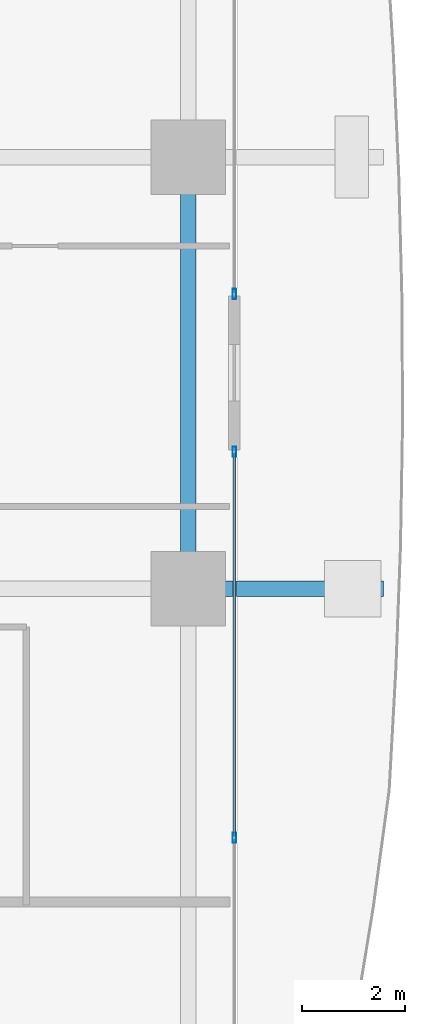
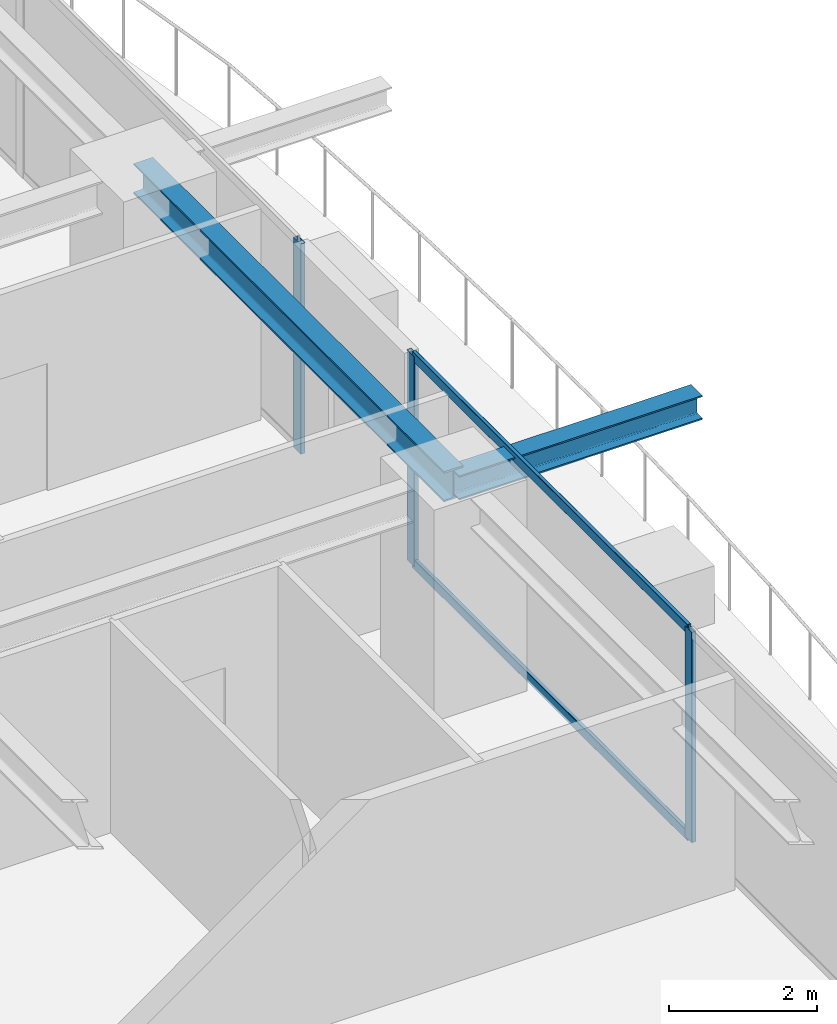
# One storey, part 15 of 39: 5 members, 2 beams, 2 elements without a shape of their own.
"""IFC4 building model written with IfcOpenShell, lengths in metres."""

from ifc_helpers import new_model, si_unit, direction, frame, origin, origin_2d, place, context, subcontext, project, spatial, hollow_rectangle, i_section, extrude, source, transform, mapped, material, layer, layer_set, material_profile, profile_set, type_object, element, aggregate, save


model = new_model("IFC4")

# Units and contexts
model_context = context("Model", 3, precision=1e-05, world=origin(), true_north=direction((0.0, 1.0)))
body_context = subcontext(model_context, "Body", "Model", "MODEL_VIEW")
ifc_project = project(units=[si_unit("LENGTHUNIT", "METRE"), si_unit("AREAUNIT", "SQUARE_METRE"), si_unit("VOLUMEUNIT", "CUBIC_METRE"), si_unit("PLANEANGLEUNIT", "RADIAN"), si_unit("MASSUNIT", "GRAM", prefix="KILO")], contexts=[model_context])

# Site, building, storey
site_placement = place(None, origin())
site = spatial("IfcSite", under=ifc_project, at=site_placement, CompositionType="ELEMENT")
building_placement = place(site_placement, origin())
building = spatial("IfcBuilding", under=site, at=building_placement, Name="Serunith Strait Residences", CompositionType="ELEMENT")
storey_placement = place(building_placement, frame((0.0, 0.0, 94.199951171875)))
storey = spatial("IfcBuildingStorey", under=building, at=storey_placement, Name="L23", CompositionType="ELEMENT", Elevation=94.199951171875)

# Beams
ifc_material_1 = material(Name="Steel S355J2", Category="steel")
ifc_material_profile_1 = material_profile(ifc_material_1, i_section(OverallWidth=0.300048828125, OverallDepth=0.5, WebThickness=0.014404296875, FlangeThickness=0.028076171875, FilletRadius=0.027099609375, at=origin_2d()), Name="HEB 500")
ifc_profile_set_1 = profile_set([ifc_material_profile_1], Name="Steel S355J2")
beam_type_1 = type_object("IfcBeamType", Name="BM-HEB500", PredefinedType="BEAM", material=ifc_profile_set_1)
shared_shape_1 = source(origin(), body_context, "Body", "SweptSolid", [
    extrude(i_section(OverallWidth=0.300048828125, OverallDepth=0.5, WebThickness=0.014404296875, FlangeThickness=0.028076171875, FilletRadius=0.027099609375, at=origin_2d()), origin(), (0.0, 0.0, 1.0), 8.39990234375),
])
beam_1_placement = place(storey_placement, frame((57.89990234375, 21.0, 3.237060546875), z_axis=(0.0, 1.0, 0.0), x_axis=(-1.0, 0.0, 0.0)))
element("IfcBeam", 1, at=beam_1_placement, inside=storey, type_object=beam_type_1, Name="L23 Perimeter Ring Beam 06", PredefinedType="BEAM", context=body_context, shape_type="MappedRepresentation", body=[
    mapped(shared_shape_1, transform((0.0, 0.0, 0.0), scale=1.0)),
])
ifc_material_profile_2 = material_profile(ifc_material_1, i_section(OverallWidth=0.300048828125, OverallDepth=0.39990234375, WebThickness=0.013427734375, FlangeThickness=0.02392578125, FilletRadius=0.027099609375, at=origin_2d()), Name="HEB 400")
ifc_profile_set_2 = profile_set([ifc_material_profile_2], Name="Steel S355J2")
beam_type_2 = type_object("IfcBeamType", Name="BM-HEB400", PredefinedType="BEAM", material=ifc_profile_set_2)
shared_shape_2 = source(origin(), body_context, "Body", "SweptSolid", [
    extrude(i_section(OverallWidth=0.300048828125, OverallDepth=0.39990234375, WebThickness=0.013427734375, FlangeThickness=0.02392578125, FilletRadius=0.027099609375, at=origin_2d()), origin(), (0.0, 0.0, 1.0), 3.800048828125),
])
beam_2_placement = place(storey_placement, frame((57.89990234375, 21.0, 3.257080078125), z_axis=(1.0, 0.0, 0.0), x_axis=(0.0, 1.0, 0.0)))
element("IfcBeam", 2, at=beam_2_placement, inside=storey, type_object=beam_type_2, Name="L24 Cantilevered Balcony Rib TC-E2", PredefinedType="BEAM", context=body_context, shape_type="MappedRepresentation", body=[
    mapped(shared_shape_2, transform((0.0, 0.0, 0.0), scale=1.0)),
])

# Curtain wall, members
ifc_material_2 = material(Name="Pale-Champagne Anodised Aluminium", Category="aluminium")
ifc_layer = layer(ifc_material_2, 0.199951171875, Name="Pale-Champagne Anodised Aluminium")
ifc_layer_set = layer_set([ifc_layer], Name="Pale-Champagne Anodised Aluminium")
curtain_wall_type = type_object("IfcCurtainWallType", Name="CW-SYS1", PredefinedType="NOTDEFINED", material=ifc_layer_set)
curtain_wall_1_placement = place(storey_placement, origin())
curtain_wall_1 = element("IfcCurtainWall", 3, at=curtain_wall_1_placement, inside=storey, type_object=curtain_wall_type, Name="L23 E Unitised Fritted Curtain Wall", PredefinedType="NOTDEFINED")
ifc_material_profile_3 = material_profile(ifc_material_2, hollow_rectangle(XDim=0.070068359375, YDim=0.199951171875, WallThickness=0.00390625, InnerFilletRadius=0.006103515625, OuterFilletRadius=0.010009765625, at=origin_2d()), Name="ALU 200x70x4")
ifc_profile_set_3 = profile_set([ifc_material_profile_3], Name="Pale-Champagne Anodised Aluminium")
member_type_1 = type_object("IfcMemberType", Name="CW-SYS1-MULL", PredefinedType="MULLION", material=ifc_profile_set_3)
shared_shape_3 = source(origin(), body_context, "Body", "SweptSolid", [
    extrude(hollow_rectangle(XDim=0.070068359375, YDim=0.199951171875, WallThickness=0.00390625, InnerFilletRadius=0.006103515625, OuterFilletRadius=0.010009765625, at=origin_2d()), origin(), (0.0, 0.0, 1.0), 3.47509765625),
])
member_1_placement = place(storey_placement, frame((58.800048828125, 16.14990234375, 0.0), z_axis=(0.0, 0.0, 1.0), x_axis=(-1.0, 0.0, 0.0)))
member_1 = element("IfcMember", 4, at=member_1_placement, type_object=member_type_1, Name="CW-1 mullion 2", PredefinedType="MULLION", context=body_context, shape_type="MappedRepresentation", body=[
    mapped(shared_shape_3, transform((0.0, 0.0, 0.0), scale=1.0)),
])
member_2_placement = place(storey_placement, frame((58.800048828125, 23.6650390625, 0.0), z_axis=(0.0, 0.0, 1.0), x_axis=(-1.0, 0.0, 0.0)))
member_2 = element("IfcMember", 5, at=member_2_placement, type_object=member_type_1, Name="CW-1 mullion 3", PredefinedType="MULLION", context=body_context, shape_type="MappedRepresentation", body=[
    mapped(shared_shape_3, transform((0.0, 0.0, 0.0), scale=1.0)),
])

# Curtain wall, member
curtain_wall_2_placement = place(storey_placement, origin())
curtain_wall_2 = element("IfcCurtainWall", 6, at=curtain_wall_2_placement, inside=storey, type_object=curtain_wall_type, Name="L23 E Unitised Fritted Curtain Wall", PredefinedType="NOTDEFINED")
member_3_placement = place(storey_placement, frame((58.800048828125, 26.735107421875, 0.0), z_axis=(0.0, 0.0, 1.0), x_axis=(-1.0, 0.0, 0.0)))
member_3 = element("IfcMember", 7, at=member_3_placement, type_object=member_type_1, Name="CW-1 mullion 1", PredefinedType="MULLION", context=body_context, shape_type="MappedRepresentation", body=[
    mapped(shared_shape_3, transform((0.0, 0.0, 0.0), scale=1.0)),
])
aggregate(curtain_wall_2, [member_3])

# Member
ifc_material_profile_4 = material_profile(ifc_material_2, hollow_rectangle(XDim=0.06005859375, YDim=0.159912109375, WallThickness=0.00341796875, InnerFilletRadius=0.00537109375, OuterFilletRadius=0.0087890625, at=origin_2d()), Name="ALU 160x60x3.5")
ifc_profile_set_4 = profile_set([ifc_material_profile_4], Name="Pale-Champagne Anodised Aluminium")
member_type_2 = type_object("IfcMemberType", Name="CW-SYS1-TRAN", PredefinedType="USERDEFINED", material=ifc_profile_set_4)
shared_shape_4 = source(origin(), body_context, "Body", "SweptSolid", [
    extrude(hollow_rectangle(XDim=0.06005859375, YDim=0.159912109375, WallThickness=0.00341796875, InnerFilletRadius=0.00537109375, OuterFilletRadius=0.0087890625, at=origin_2d()), origin(), (0.0, 0.0, 1.0), 7.44482421875),
])
member_4_placement = place(storey_placement, frame((58.800048828125, 16.18505859375, 0.030029296875), z_axis=(0.0, 1.0, 0.0), x_axis=(-1.0, 0.0, 0.0)))
member_4 = element("IfcMember", 8, at=member_4_placement, type_object=member_type_2, Name="CW-1 transom 2.1", ObjectType="TRANSOM", PredefinedType="USERDEFINED", context=body_context, shape_type="MappedRepresentation", body=[
    mapped(shared_shape_4, transform((0.0, 0.0, 0.0), scale=1.0)),
])

member_5_placement = place(storey_placement, frame((58.800048828125, 16.18505859375, 3.445068359375), z_axis=(0.0, 1.0, 0.0), x_axis=(-1.0, 0.0, 0.0)))
member_5 = element("IfcMember", 9, at=member_5_placement, type_object=member_type_2, Name="CW-1 transom 2.2", ObjectType="TRANSOM", PredefinedType="USERDEFINED", context=body_context, shape_type="MappedRepresentation", body=[
    mapped(shared_shape_4, transform((0.0, 0.0, 0.0), scale=1.0)),
])

aggregate(curtain_wall_1, [member_1, member_2, member_4, member_5])

save(model, "model.ifc")
